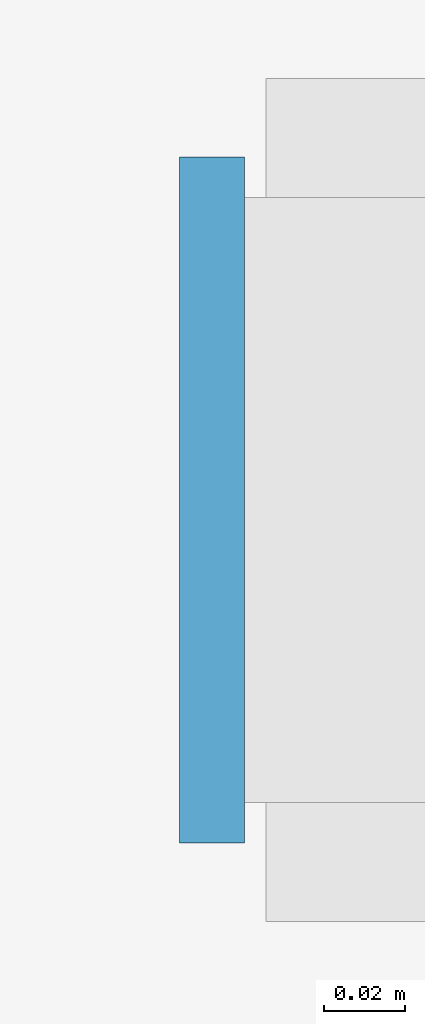
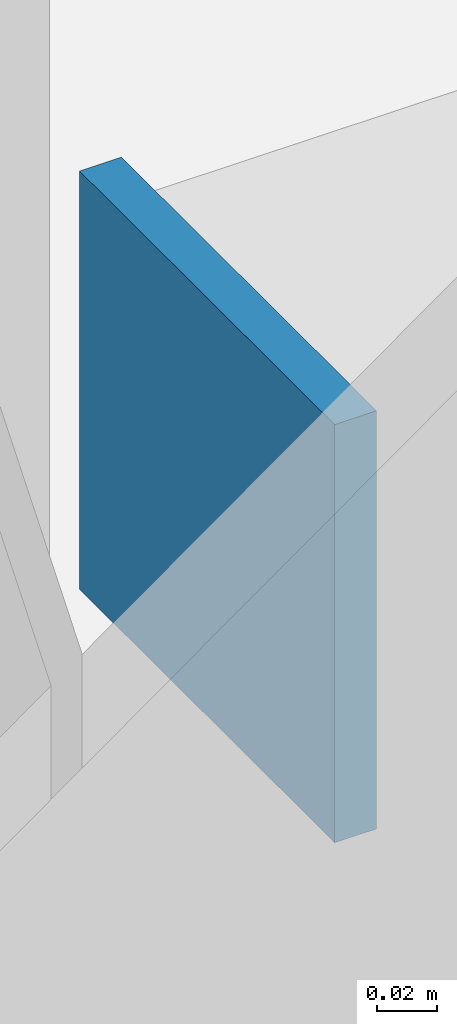
# One storey, part 147 of 188: 1 plate.
"""IFC4 building model written with IfcOpenShell, lengths in metres."""

from ifc_helpers import new_model, si_unit, direction, frame, origin, origin_2d, place, context, subcontext, project, spatial, rectangle, extrude, material, layer, layer_set, type_object, element, save


model = new_model("IFC4")

# Units and contexts
model_context = context("Model", 3, precision=1e-05, world=origin(), true_north=direction((0.0, 1.0)))
body_context = subcontext(model_context, "Body", "Model", "MODEL_VIEW")
ifc_project = project(units=[si_unit("LENGTHUNIT", "METRE"), si_unit("AREAUNIT", "SQUARE_METRE"), si_unit("VOLUMEUNIT", "CUBIC_METRE"), si_unit("PLANEANGLEUNIT", "RADIAN"), si_unit("MASSUNIT", "GRAM", prefix="KILO")], contexts=[model_context])

# Site, building, storey
site_placement = place(None, origin())
site = spatial("IfcSite", under=ifc_project, at=site_placement, CompositionType="ELEMENT")
building_placement = place(site_placement, origin())
building = spatial("IfcBuilding", under=site, at=building_placement, Name="Pandanus Reach Market Hall", CompositionType="ELEMENT")
storey_placement = place(building_placement, origin())
storey = spatial("IfcBuildingStorey", under=building, at=storey_placement, Name="L00", CompositionType="ELEMENT", Elevation=0.0)

# Plate
ifc_material = material(Name="Steel Grade 350 (350 MPa)", Category="steel")
ifc_layer = layer(ifc_material, 0.01611328125, Name="CP-PL16")
ifc_layer_set = layer_set([ifc_layer], Name="Steel Grade 350 (350 MPa)")
plate_type = type_object("IfcPlateType", Name="CP-PL16", PredefinedType="SHEET", material=ifc_layer_set)
plate_placement = place(storey_placement, frame((60.14208984375, 38.39990234375, 3.06494140625), z_axis=(0.0, 0.0, 1.0), x_axis=(1.0, 0.0, 0.0)))
element("IfcPlate", 1, at=plate_placement, inside=storey, type_object=plate_type, Name="Hollow lintel end cap plate CP-PL16 1A", PredefinedType="SHEET", context=body_context, shape_type="SweptSolid", body=[
    extrude(rectangle(XDim=0.01611328125, YDim=0.169921875, at=origin_2d()), origin(), (0.0, 0.0, 1.0), 0.169921875),
])

save(model, "model.ifc")
